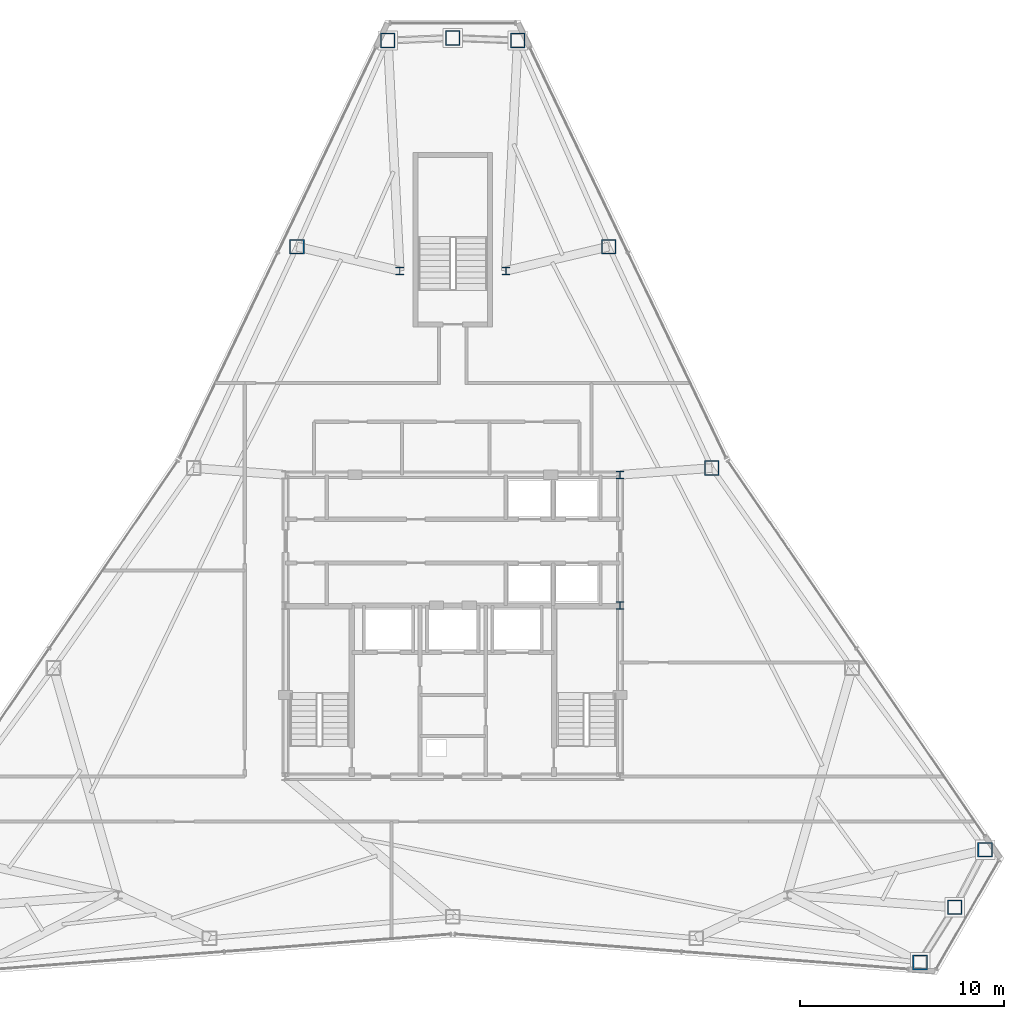
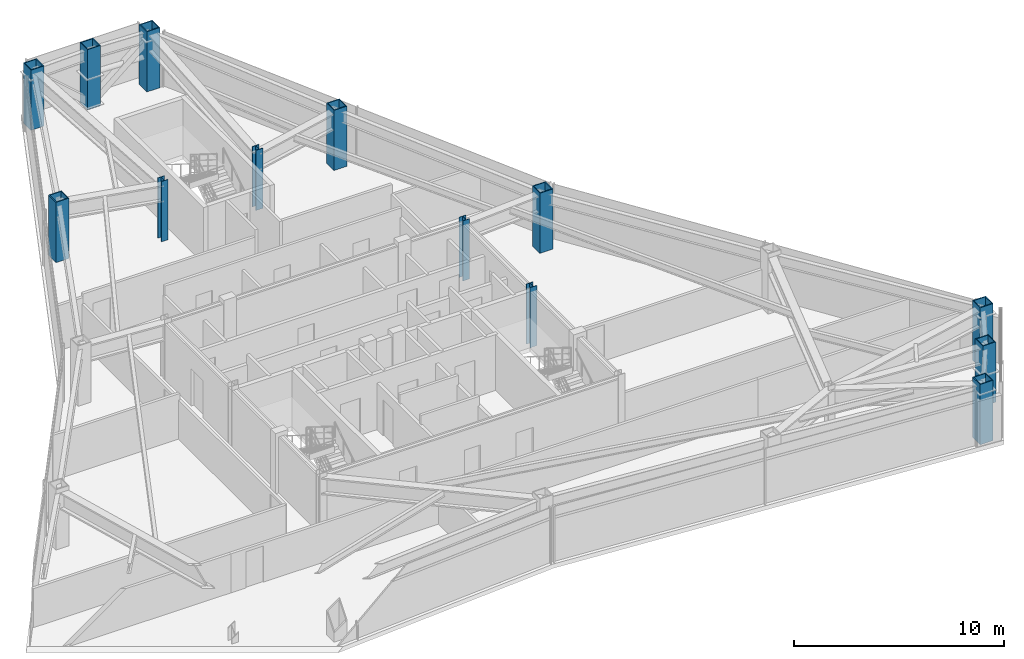
# One storey, part 2 of 12: 13 columns.
"""IFC4 building model written with IfcOpenShell, lengths in metres."""

from ifc_helpers import new_model, si_unit, direction, frame, origin, origin_2d, place, context, subcontext, project, spatial, hollow_rectangle, i_section, extrude, material, material_profile, profile_set, type_object, element, save


model = new_model("IFC4")

# Units and contexts
model_context = context("Model", 3, precision=1e-05, world=origin(), true_north=direction((0.0, 1.0)))
body_context = subcontext(model_context, "Body", "Model", "MODEL_VIEW")
ifc_project = project(units=[si_unit("LENGTHUNIT", "METRE"), si_unit("AREAUNIT", "SQUARE_METRE"), si_unit("VOLUMEUNIT", "CUBIC_METRE"), si_unit("PLANEANGLEUNIT", "RADIAN"), si_unit("MASSUNIT", "GRAM", prefix="KILO")], contexts=[model_context])

# Site, building, storey
site_placement = place(None, origin())
site = spatial("IfcSite", under=ifc_project, at=site_placement, CompositionType="ELEMENT")
building_placement = place(site_placement, origin())
building = spatial("IfcBuilding", under=site, at=building_placement, Name="Varakhsha Concourse Tower", CompositionType="ELEMENT")
storey_placement = place(building_placement, frame((0.0, 0.0, 222.39990234375)))
storey = spatial("IfcBuildingStorey", under=building, at=storey_placement, Name="L63", CompositionType="ELEMENT", Elevation=222.39990234375)

# Columns
ifc_material_1 = material(Name="Structural Steel ASTM A992 Grade 50", Category="steel")
ifc_material_profile_1 = material_profile(ifc_material_1, i_section(OverallWidth=0.3740234375, OverallDepth=0.3720703125, WebThickness=0.01611328125, FlangeThickness=0.02587890625, at=origin_2d()), Name="W14X132")
ifc_profile_set_1 = profile_set([ifc_material_profile_1], Name="Structural Steel ASTM A992 Grade 50")
column_type_1 = type_object("IfcColumnType", Name="CL-CORE-W14X132", PredefinedType="COLUMN", material=ifc_profile_set_1)
for number, where, z_axis, x_axis, name in (
    (1, (48.199951171875, 24.800048828125, 0.0), (0.0, 0.0, 1.0), (1.0, 0.0, 0.0), "L63 Core Column CC-ME"),
    (2, (48.199951171875, 31.199951171875, 0.0), (0.0, 0.0, 1.0), (1.0, 0.0, 0.0), "L63 Core Column CC-NE"),
    (3, (37.39990234375, 41.199951171875, 0.0), (0.0, 0.0, 1.0), (1.0, 0.0, 0.0), "L63 Core Column NS-W"),
    (4, (42.60009765625, 41.199951171875, 0.0), (0.0, 0.0, 1.0), (1.0, 0.0, 0.0), "L63 Core Column NS-E"),
):
    element("IfcColumn", number, at=place(storey_placement, frame(where, z_axis=z_axis, x_axis=x_axis)), inside=storey, type_object=column_type_1, Name=name, PredefinedType="COLUMN", context=body_context, shape_type="SweptSolid", body=[
        extrude(i_section(OverallWidth=0.3740234375, OverallDepth=0.3720703125, WebThickness=0.01611328125, FlangeThickness=0.02587890625, at=origin_2d()), origin(), (0.0, 0.0, 1.0), 3.5),
    ])
ifc_material_2 = material(Name="Structural Steel ASTM A572 Grade 50", Category="steel")
ifc_material_profile_2 = material_profile(ifc_material_2, hollow_rectangle(XDim=0.719970703125, YDim=0.719970703125, WallThickness=0.050048828125, at=origin_2d()), Name="BOX 720x720x50")
ifc_profile_set_2 = profile_set([ifc_material_profile_2], Name="Structural Steel ASTM A572 Grade 50")
column_type_2 = type_object("IfcColumnType", Name="CL-TUBE-720", PredefinedType="COLUMN", material=ifc_profile_set_2)
for number, where, z_axis, x_axis, name in (
    (5, (43.186767578125, 52.491943359375, 0.0), (0.0, 0.0, 1.0), (1.0, 0.0, 0.0), "L63 Framed-Tube Column TC01"),
    (6, (40.0, 52.617431640625, 0.0), (0.0, 0.0, 1.0), (1.0, 0.0, 0.0), "L63 Framed-Tube Column TC02"),
    (7, (36.813232421875, 52.491943359375, 0.0), (0.0, 0.0, 1.0), (1.0, 0.0, 0.0), "L63 Framed-Tube Column TC03"),
    (8, (32.356201171875, 42.3876953125, 0.0), (0.0, 0.0, 1.0), (1.0, 0.0, 0.0), "L63 Framed-Tube Column TC04"),
    (9, (62.908203125, 7.294189453125, 0.0), (0.0, 0.0, 1.0), (1.0, 0.0, 0.0), "L63 Framed-Tube Column TC13"),
    (10, (64.6103515625, 9.9912109375, 0.0), (0.0, 0.0, 1.0), (1.0, 0.0, 0.0), "L63 Framed-Tube Column TC14"),
    (11, (66.094970703125, 12.813720703125, 0.0), (0.0, 0.0, 1.0), (1.0, 0.0, 0.0), "L63 Framed-Tube Column TC15"),
    (12, (52.698974609375, 31.53173828125, 0.0), (0.0, 0.0, 1.0), (1.0, 0.0, 0.0), "L63 Framed-Tube Column TC17"),
    (13, (47.643798828125, 42.3876953125, 0.0), (0.0, 0.0, 1.0), (1.0, 0.0, 0.0), "L63 Framed-Tube Column TC18"),
):
    element("IfcColumn", number, at=place(storey_placement, frame(where, z_axis=z_axis, x_axis=x_axis)), inside=storey, type_object=column_type_2, Name=name, PredefinedType="COLUMN", context=body_context, shape_type="SweptSolid", body=[
        extrude(hollow_rectangle(XDim=0.719970703125, YDim=0.719970703125, WallThickness=0.050048828125, at=origin_2d()), origin(), (0.0, 0.0, 1.0), 3.5),
    ])

save(model, "model.ifc")
